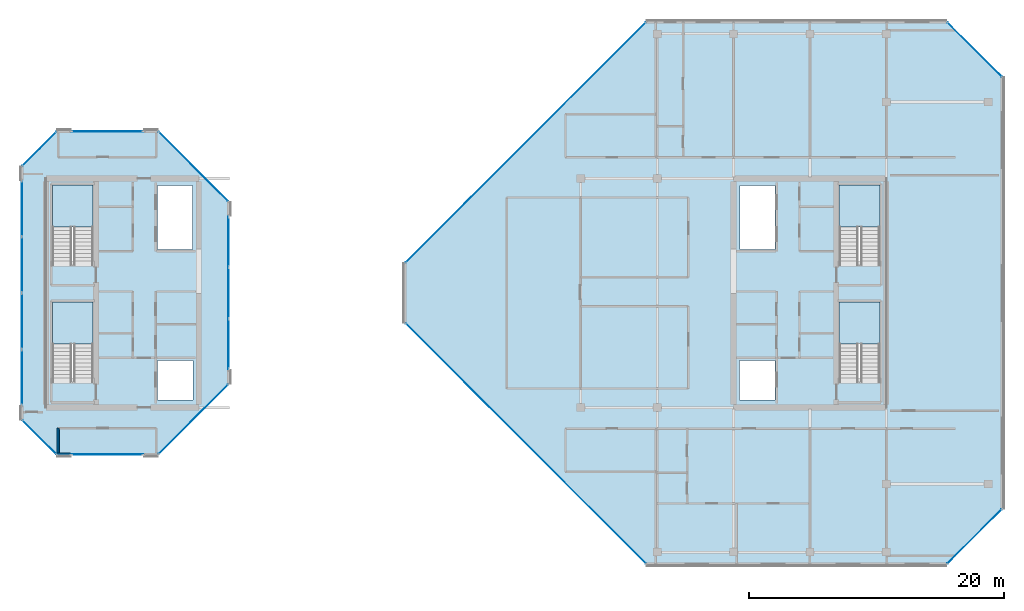
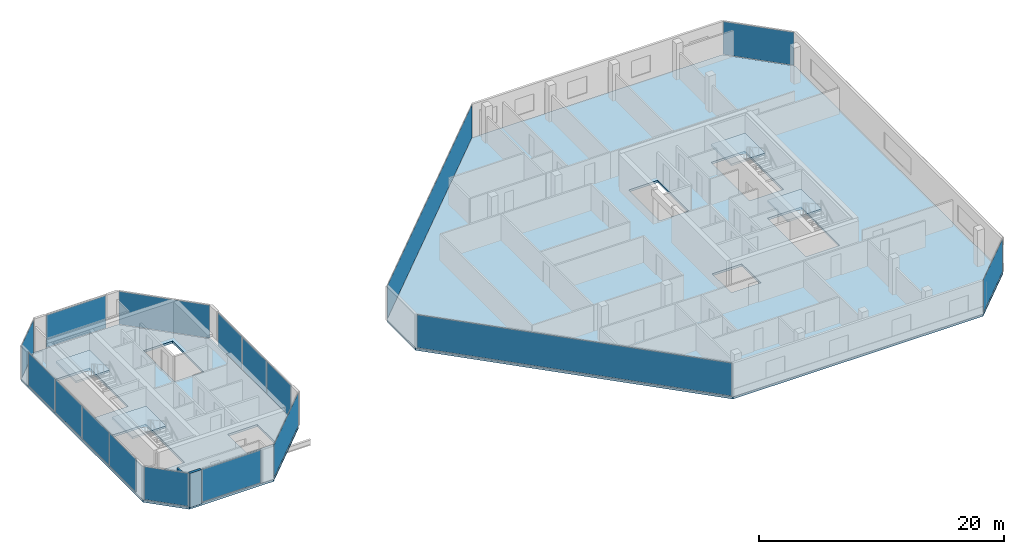
# One storey, part 20 of 28: 17 plates, 6 slabs, 2 walls, 16 elements without a shape of their own.
"""IFC4 building model written with IfcOpenShell, lengths in metres."""

from ifc_helpers import new_model, si_unit, direction, frame, frame_2d, origin, origin_2d, place, context, subcontext, project, spatial, polyline, rectangle, outline, extrude, material, layer, layer_set, type_object, element, aggregate, save


model = new_model("IFC4")

# Units and contexts
model_context = context("Model", 3, precision=1e-05, world=origin(), true_north=direction((0.0, 1.0)))
body_context = subcontext(model_context, "Body", "Model", "MODEL_VIEW")
ifc_project = project(units=[si_unit("LENGTHUNIT", "METRE"), si_unit("AREAUNIT", "SQUARE_METRE"), si_unit("VOLUMEUNIT", "CUBIC_METRE"), si_unit("PLANEANGLEUNIT", "RADIAN"), si_unit("MASSUNIT", "GRAM", prefix="KILO")], contexts=[model_context])

# Site, building, storey
site_placement = place(None, origin())
site = spatial("IfcSite", under=ifc_project, at=site_placement, CompositionType="ELEMENT")
building_placement = place(site_placement, origin())
building = spatial("IfcBuilding", under=site, at=building_placement, Name="Tanjung Sevakor Pilgrim Tower", CompositionType="ELEMENT")
storey_placement = place(building_placement, frame((0.0, 0.0, 249.81005859375)))
storey = spatial("IfcBuildingStorey", under=building, at=storey_placement, Name="L70", CompositionType="ELEMENT", Elevation=249.81005859375)

# Stair, slab
ifc_material_1 = material(Name="Concrete C40/50", Category="concrete")
stair_type = type_object("IfcStairType", Name="STAIR-ST-CR150", PredefinedType="HALF_TURN_STAIR", material=ifc_material_1)
stair_1_placement = place(storey_placement, origin())
stair_1 = element("IfcStair", 1, at=stair_1_placement, inside=storey, type_object=stair_type, Name="L70 West Core Exit Stair 1", PredefinedType="HALF_TURN_STAIR")
ifc_material_2 = material(Name="Concrete C40/50", Category="concrete")
ifc_layer_1 = layer(ifc_material_2, 0.199951171875)
ifc_layer_set_1 = layer_set([ifc_layer_1], Name="SL-LAND-200")
slab_type_1 = type_object("IfcSlabType", Name="SL-LAND-200", PredefinedType="LANDING", material=ifc_layer_set_1)
slab_1_placement = place(storey_placement, frame((0.0, 0.0, 1.614990234375)))
slab_1 = element("IfcSlab", 2, at=slab_1_placement, type_object=slab_type_1, Name="TS-W1 landing 1", PredefinedType="LANDING", context=body_context, shape_type="SweptSolid", body=[
    extrude(outline(polyline([(27.699951171875, 29.60009765625), (27.699951171875, 32.89990234375), (24.5, 32.89990234375), (24.5, 29.60009765625), (27.699951171875, 29.60009765625)])), origin(), (0.0, 0.0, 1.0), 0.199951171875),
])
aggregate(stair_1, [slab_1])

stair_2_placement = place(storey_placement, origin())
stair_2 = element("IfcStair", 3, at=stair_2_placement, inside=storey, type_object=stair_type, Name="L70 West Core Exit Stair 2", PredefinedType="HALF_TURN_STAIR")
slab_2_placement = place(storey_placement, frame((0.0, 0.0, 1.614990234375)))
slab_2 = element("IfcSlab", 4, at=slab_2_placement, type_object=slab_type_1, Name="TS-W2 landing 1", PredefinedType="LANDING", context=body_context, shape_type="SweptSolid", body=[
    extrude(outline(polyline([(27.699951171875, 38.800048828125), (27.699951171875, 42.10009765625), (24.5, 42.10009765625), (24.5, 38.800048828125), (27.699951171875, 38.800048828125)])), origin(), (0.0, 0.0, 1.0), 0.199951171875),
])
aggregate(stair_2, [slab_2])

stair_3_placement = place(storey_placement, origin())
stair_3 = element("IfcStair", 5, at=stair_3_placement, inside=storey, type_object=stair_type, Name="L70 East Core Exit Stair 1", PredefinedType="HALF_TURN_STAIR")
slab_3_placement = place(storey_placement, frame((0.0, 0.0, 1.614990234375)))
slab_3 = element("IfcSlab", 6, at=slab_3_placement, type_object=slab_type_1, Name="TS-E1 landing 1", PredefinedType="LANDING", context=body_context, shape_type="SweptSolid", body=[
    extrude(outline(polyline([(89.5, 29.60009765625), (89.5, 32.89990234375), (86.300048828125, 32.89990234375), (86.300048828125, 29.60009765625), (89.5, 29.60009765625)])), origin(), (0.0, 0.0, 1.0), 0.199951171875),
])
aggregate(stair_3, [slab_3])

stair_4_placement = place(storey_placement, origin())
stair_4 = element("IfcStair", 7, at=stair_4_placement, inside=storey, type_object=stair_type, Name="L70 East Core Exit Stair 2", PredefinedType="HALF_TURN_STAIR")
slab_4_placement = place(storey_placement, frame((0.0, 0.0, 1.614990234375)))
slab_4 = element("IfcSlab", 8, at=slab_4_placement, type_object=slab_type_1, Name="TS-E2 landing 1", PredefinedType="LANDING", context=body_context, shape_type="SweptSolid", body=[
    extrude(outline(polyline([(89.5, 38.800048828125), (89.5, 42.10009765625), (86.300048828125, 42.10009765625), (86.300048828125, 38.800048828125), (89.5, 38.800048828125)])), origin(), (0.0, 0.0, 1.0), 0.199951171875),
])
aggregate(stair_4, [slab_4])

# Slabs
ifc_material_3 = material(Name="Concrete C40/50", Category="concrete")
ifc_layer_2 = layer(ifc_material_3, 0.219970703125)
ifc_layer_set_2 = layer_set([ifc_layer_2], Name="SL-TWR-220")
slab_type_2 = type_object("IfcSlabType", Name="SL-TWR-220", PredefinedType="FLOOR", material=ifc_layer_set_2)
slab_5_placement = place(storey_placement, frame((0.0, 0.0, -0.219970703125)))
element("IfcSlab", 9, at=slab_5_placement, inside=storey, type_object=slab_type_2, Name="L70 Floor Slab WEST", PredefinedType="FLOOR", context=body_context, shape_type="SweptSolid", body=[
    extrude(outline(polyline([(24.846923828125, 20.8798828125), (32.802978515625, 20.8798828125), (38.3701171875, 26.447021484375), (38.3701171875, 40.753173828125), (32.802978515625, 46.320068359375), (24.846923828125, 46.320068359375), (22.080078125, 43.552978515625), (22.080078125, 23.64697265625), (24.846923828125, 20.8798828125)]), holes=[polyline([(27.699951171875, 26.60009765625), (27.699951171875, 32.89990234375), (24.5, 32.89990234375), (24.5, 26.60009765625), (27.699951171875, 26.60009765625)]), polyline([(27.699951171875, 35.800048828125), (27.699951171875, 42.10009765625), (24.5, 42.10009765625), (24.5, 35.800048828125), (27.699951171875, 35.800048828125)]), polyline([(32.75, 25.199951171875), (35.550048828125, 25.199951171875), (35.550048828125, 28.300048828125), (32.75, 28.300048828125), (32.75, 25.199951171875)]), polyline([(32.75, 37.0), (35.5, 37.0), (35.5, 42.050048828125), (32.75, 42.050048828125), (32.75, 37.0)])]), origin(), (0.0, 0.0, 1.0), 0.219970703125),
])
slab_6_placement = place(storey_placement, frame((0.0, 0.0, -0.219970703125)))
element("IfcSlab", 10, at=slab_6_placement, inside=storey, type_object=slab_type_2, Name="L70 Floor Slab EAST", PredefinedType="FLOOR", context=body_context, shape_type="SweptSolid", body=[
    extrude(outline(polyline([(71.14697265625, 12.280029296875), (94.753173828125, 12.280029296875), (99.1201171875, 16.64697265625), (99.1201171875, 50.552978515625), (94.753173828125, 54.919921875), (71.14697265625, 54.919921875), (52.179931640625, 35.953125), (52.179931640625, 31.246826171875), (71.14697265625, 12.280029296875)]), holes=[polyline([(89.5, 26.60009765625), (89.5, 32.89990234375), (86.300048828125, 32.89990234375), (86.300048828125, 26.60009765625), (89.5, 26.60009765625)]), polyline([(89.5, 35.800048828125), (89.5, 42.10009765625), (86.300048828125, 42.10009765625), (86.300048828125, 35.800048828125), (89.5, 35.800048828125)]), polyline([(78.449951171875, 25.199951171875), (81.25, 25.199951171875), (81.25, 28.300048828125), (78.449951171875, 28.300048828125), (78.449951171875, 25.199951171875)]), polyline([(78.5, 37.0), (81.25, 37.0), (81.25, 42.050048828125), (78.5, 42.050048828125), (78.5, 37.0)])]), origin(), (0.0, 0.0, 1.0), 0.219970703125),
])

# Curtain wall, plate
ifc_material_4 = material(Name="Aluminium 6063-T6 and Low-E Glass", Category="aluminium")
ifc_layer_3 = layer(ifc_material_4, 0.179931640625)
ifc_layer_set_3 = layer_set([ifc_layer_3], Name="CW-SYS-CHAM")
curtain_wall_type_1 = type_object("IfcCurtainWallType", Name="CW-SYS-CHAM", PredefinedType="NOTDEFINED", material=ifc_layer_set_3)
curtain_wall_1_placement = place(storey_placement, origin())
curtain_wall_1 = element("IfcCurtainWall", 11, at=curtain_wall_1_placement, inside=storey, type_object=curtain_wall_type_1, Name="L70 Curtain Wall CW-CHM-L70-WEST-1", PredefinedType="NOTDEFINED")
ifc_material_5 = material(Name="Laminated Low-E Double Glazing", Category="glass")
ifc_layer_4 = layer(ifc_material_5, 0.028076171875)
ifc_layer_set_4 = layer_set([ifc_layer_4], Name="TYPE-CWP-GLZ1")
plate_type_1 = type_object("IfcPlateType", Name="TYPE-CWP-GLZ1", PredefinedType="CURTAIN_PANEL", material=ifc_layer_set_4)
plate_1_placement = place(storey_placement, frame((35.572265625, 23.677734375, 0.06494140625), z_axis=(0.0, 0.0, 1.0), x_axis=(0.707106781187, 0.707106781187, 0.0)))
plate_1 = element("IfcPlate", 12, at=plate_1_placement, type_object=plate_type_1, Name="CW-CHM panel 1.1", PredefinedType="CURTAIN_PANEL", context=body_context, shape_type="SweptSolid", body=[
    extrude(rectangle(XDim=7.698486328125, YDim=0.028076171875, at=origin_2d()), origin(), (0.0, 0.0, 1.0), 3.280029296875),
])
aggregate(curtain_wall_1, [plate_1])

curtain_wall_2_placement = place(storey_placement, origin())
curtain_wall_2 = element("IfcCurtainWall", 13, at=curtain_wall_2_placement, inside=storey, type_object=curtain_wall_type_1, Name="L70 Curtain Wall CW-CHM-L70-WEST-3", PredefinedType="NOTDEFINED")
plate_2_placement = place(storey_placement, frame((35.572265625, 43.522216796875, 0.06494140625), z_axis=(0.0, 0.0, 1.0), x_axis=(-0.707106781187, 0.707106781187, 0.0)))
plate_2 = element("IfcPlate", 14, at=plate_2_placement, type_object=plate_type_1, Name="CW-CHM panel 1.1", PredefinedType="CURTAIN_PANEL", context=body_context, shape_type="SweptSolid", body=[
    extrude(rectangle(XDim=7.698486328125, YDim=0.028076171875, at=origin_2d()), origin(), (0.0, 0.0, 1.0), 3.280029296875),
])
aggregate(curtain_wall_2, [plate_2])

curtain_wall_3_placement = place(storey_placement, origin())
curtain_wall_3 = element("IfcCurtainWall", 15, at=curtain_wall_3_placement, inside=storey, type_object=curtain_wall_type_1, Name="L70 Curtain Wall CW-CHM-L70-WEST-5", PredefinedType="NOTDEFINED")
plate_3_placement = place(storey_placement, frame((23.477783203125, 44.922119140625, 0.06494140625), z_axis=(0.0, 0.0, 1.0), x_axis=(-0.707106781187, -0.707106781187, 0.0)))
plate_3 = element("IfcPlate", 16, at=plate_3_placement, type_object=plate_type_1, Name="CW-CHM panel 1.1", PredefinedType="CURTAIN_PANEL", context=body_context, shape_type="SweptSolid", body=[
    extrude(rectangle(XDim=3.73876953125, YDim=0.028076171875, at=origin_2d()), origin(), (0.0, 0.0, 1.0), 3.280029296875),
])
aggregate(curtain_wall_3, [plate_3])

curtain_wall_4_placement = place(storey_placement, origin())
curtain_wall_4 = element("IfcCurtainWall", 17, at=curtain_wall_4_placement, inside=storey, type_object=curtain_wall_type_1, Name="L70 Curtain Wall CW-CHM-L70-WEST-7", PredefinedType="NOTDEFINED")
plate_4_placement = place(storey_placement, frame((23.477783203125, 22.27783203125, 0.06494140625), z_axis=(0.0, 0.0, 1.0), x_axis=(0.707106781187, -0.707106781187, 0.0)))
plate_4 = element("IfcPlate", 18, at=plate_4_placement, type_object=plate_type_1, Name="CW-CHM panel 1.1", PredefinedType="CURTAIN_PANEL", context=body_context, shape_type="SweptSolid", body=[
    extrude(rectangle(XDim=3.73876953125, YDim=0.028076171875, at=origin_2d()), origin(), (0.0, 0.0, 1.0), 3.280029296875),
])
aggregate(curtain_wall_4, [plate_4])

curtain_wall_5_placement = place(storey_placement, origin())
curtain_wall_5 = element("IfcCurtainWall", 19, at=curtain_wall_5_placement, inside=storey, type_object=curtain_wall_type_1, Name="L70 Curtain Wall CW-CHM-L70-EAST-1", PredefinedType="NOTDEFINED")
plate_5_placement = place(storey_placement, frame((96.922119140625, 14.477783203125, 0.06494140625), z_axis=(0.0, 0.0, 1.0), x_axis=(0.707106781187, 0.707106781187, 0.0)))
plate_5 = element("IfcPlate", 20, at=plate_5_placement, type_object=plate_type_1, Name="CW-CHM panel 1.1", PredefinedType="CURTAIN_PANEL", context=body_context, shape_type="SweptSolid", body=[
    extrude(rectangle(XDim=6.00146484375, YDim=0.028076171875, at=origin_2d()), origin(), (0.0, 0.0, 1.0), 3.280029296875),
])
aggregate(curtain_wall_5, [plate_5])

curtain_wall_6_placement = place(storey_placement, origin())
curtain_wall_6 = element("IfcCurtainWall", 21, at=curtain_wall_6_placement, inside=storey, type_object=curtain_wall_type_1, Name="L70 Curtain Wall CW-CHM-L70-EAST-3", PredefinedType="NOTDEFINED")
plate_6_placement = place(storey_placement, frame((96.922119140625, 52.72216796875, 0.06494140625), z_axis=(0.0, 0.0, 1.0), x_axis=(-0.707106781187, 0.707106781187, 0.0)))
plate_6 = element("IfcPlate", 22, at=plate_6_placement, type_object=plate_type_1, Name="CW-CHM panel 1.1", PredefinedType="CURTAIN_PANEL", context=body_context, shape_type="SweptSolid", body=[
    extrude(rectangle(XDim=6.00146484375, YDim=0.028076171875, at=origin_2d()), origin(), (0.0, 0.0, 1.0), 3.280029296875),
])
aggregate(curtain_wall_6, [plate_6])

curtain_wall_7_placement = place(storey_placement, origin())
curtain_wall_7 = element("IfcCurtainWall", 23, at=curtain_wall_7_placement, inside=storey, type_object=curtain_wall_type_1, Name="L70 Curtain Wall CW-CHM-L70-EAST-5", PredefinedType="NOTDEFINED")
plate_7_placement = place(storey_placement, frame((61.677734375, 45.422119140625, 0.06494140625), z_axis=(0.0, 0.0, 1.0), x_axis=(-0.707106781187, -0.707106781187, 0.0)))
plate_7 = element("IfcPlate", 24, at=plate_7_placement, type_object=plate_type_1, Name="CW-CHM panel 1.1", PredefinedType="CURTAIN_PANEL", context=body_context, shape_type="SweptSolid", body=[
    extrude(rectangle(XDim=26.64892578125, YDim=0.028076171875, at=origin_2d()), origin(), (0.0, 0.0, 1.0), 3.280029296875),
])
aggregate(curtain_wall_7, [plate_7])

curtain_wall_8_placement = place(storey_placement, origin())
curtain_wall_8 = element("IfcCurtainWall", 25, at=curtain_wall_8_placement, inside=storey, type_object=curtain_wall_type_1, Name="L70 Curtain Wall CW-CHM-L70-EAST-7", PredefinedType="NOTDEFINED")
plate_8_placement = place(storey_placement, frame((61.677734375, 21.77783203125, 0.06494140625), z_axis=(0.0, 0.0, 1.0), x_axis=(0.707106781187, -0.707106781187, 0.0)))
plate_8 = element("IfcPlate", 26, at=plate_8_placement, type_object=plate_type_1, Name="CW-CHM panel 1.1", PredefinedType="CURTAIN_PANEL", context=body_context, shape_type="SweptSolid", body=[
    extrude(rectangle(XDim=26.64892578125, YDim=0.028076171875, at=origin_2d()), origin(), (0.0, 0.0, 1.0), 3.280029296875),
])
aggregate(curtain_wall_8, [plate_8])

ifc_material_6 = material(Name="Aluminium 6063-T6 and Low-E Glass", Category="aluminium")
ifc_layer_5 = layer(ifc_material_6, 0.199951171875)
ifc_layer_set_5 = layer_set([ifc_layer_5], Name="CW-SYS-CRNW")
curtain_wall_type_2 = type_object("IfcCurtainWallType", Name="CW-SYS-CRNW", PredefinedType="NOTDEFINED", material=ifc_layer_set_5)
curtain_wall_9_placement = place(storey_placement, origin())
curtain_wall_9 = element("IfcCurtainWall", 27, at=curtain_wall_9_placement, inside=storey, type_object=curtain_wall_type_2, Name="L70 Curtain Wall CW-CRN-L70-WEST-0-1", PredefinedType="NOTDEFINED")
ifc_material_7 = material(Name="Solar-Control Low-E Acoustic Glazing", Category="glass")
ifc_layer_6 = layer(ifc_material_7, 0.031982421875)
ifc_layer_set_6 = layer_set([ifc_layer_6], Name="TYPE-CWP-GLZ2")
plate_type_2 = type_object("IfcPlateType", Name="TYPE-CWP-GLZ2", PredefinedType="CURTAIN_PANEL", material=ifc_layer_set_6)
plate_9_placement = place(storey_placement, frame((28.824951171875, 20.909912109375, 0.079833984375), z_axis=(0.0, 0.0, 1.0), x_axis=(1.0, 0.0, 0.0)))
plate_9 = element("IfcPlate", 28, at=plate_9_placement, type_object=plate_type_2, Name="CW-CRW panel 1.1", PredefinedType="CURTAIN_PANEL", context=body_context, shape_type="SweptSolid", body=[
    extrude(rectangle(XDim=5.598876953125, YDim=0.031982421875, at=origin_2d()), origin(), (0.0, 0.0, 1.0), 3.25),
])
aggregate(curtain_wall_9, [plate_9])

# Curtain wall, plates
curtain_wall_10_placement = place(storey_placement, origin())
curtain_wall_10 = element("IfcCurtainWall", 29, at=curtain_wall_10_placement, inside=storey, type_object=curtain_wall_type_2, Name="L70 Curtain Wall CW-CRN-L70-WEST-2-1", PredefinedType="NOTDEFINED")
plate_10_placement = place(storey_placement, frame((38.340087890625, 29.583740234375, 0.079833984375), z_axis=(0.0, 0.0, 1.0), x_axis=(0.0, 1.0, 0.0)))
plate_10 = element("IfcPlate", 30, at=plate_10_placement, type_object=plate_type_2, Name="CW-CRW panel 1.1", PredefinedType="CURTAIN_PANEL", context=body_context, shape_type="SweptSolid", body=[
    extrude(rectangle(XDim=3.916259765625, YDim=0.031982421875, at=origin_2d()), origin(), (0.0, 0.0, 1.0), 3.25),
])
plate_11_placement = place(storey_placement, frame((38.340087890625, 33.60009765625, 0.079833984375), z_axis=(0.0, 0.0, 1.0), x_axis=(0.0, 1.0, 0.0)))
plate_11 = element("IfcPlate", 31, at=plate_11_placement, type_object=plate_type_2, Name="CW-CRW panel 2.1", PredefinedType="CURTAIN_PANEL", context=body_context, shape_type="SweptSolid", body=[
    extrude(rectangle(XDim=3.956298828125, YDim=0.031982421875, at=origin_2d()), origin(), (0.0, 0.0, 1.0), 3.25),
])
plate_12_placement = place(storey_placement, frame((38.340087890625, 37.6162109375, 0.079833984375), z_axis=(0.0, 0.0, 1.0), x_axis=(0.0, 1.0, 0.0)))
plate_12 = element("IfcPlate", 32, at=plate_12_placement, type_object=plate_type_2, Name="CW-CRW panel 3.1", PredefinedType="CURTAIN_PANEL", context=body_context, shape_type="SweptSolid", body=[
    extrude(rectangle(XDim=3.916259765625, YDim=0.031982421875, at=origin_2d()), origin(), (0.0, 0.0, 1.0), 3.25),
])
aggregate(curtain_wall_10, [plate_10, plate_11, plate_12])

# Curtain wall, plate
curtain_wall_11_placement = place(storey_placement, origin())
curtain_wall_11 = element("IfcCurtainWall", 33, at=curtain_wall_11_placement, inside=storey, type_object=curtain_wall_type_2, Name="L70 Curtain Wall CW-CRN-L70-WEST-4-1", PredefinedType="NOTDEFINED")
plate_13_placement = place(storey_placement, frame((28.824951171875, 46.2900390625, 0.079833984375), z_axis=(0.0, 0.0, 1.0), x_axis=(-1.0, 0.0, 0.0)))
plate_13 = element("IfcPlate", 34, at=plate_13_placement, type_object=plate_type_2, Name="CW-CRW panel 1.1", PredefinedType="CURTAIN_PANEL", context=body_context, shape_type="SweptSolid", body=[
    extrude(rectangle(XDim=5.598876953125, YDim=0.031982421875, at=origin_2d()), origin(), (0.0, 0.0, 1.0), 3.25),
])
aggregate(curtain_wall_11, [plate_13])

# Curtain wall, plates
curtain_wall_12_placement = place(storey_placement, origin())
curtain_wall_12 = element("IfcCurtainWall", 35, at=curtain_wall_12_placement, inside=storey, type_object=curtain_wall_type_2, Name="L70 Curtain Wall CW-CRN-L70-WEST-6-1", PredefinedType="NOTDEFINED")
plate_14_placement = place(storey_placement, frame((22.110107421875, 40.220703125, 0.079833984375), z_axis=(0.0, 0.0, 1.0), x_axis=(0.0, -1.0, 0.0)))
plate_14 = element("IfcPlate", 36, at=plate_14_placement, type_object=plate_type_2, Name="CW-CRW panel 1.1", PredefinedType="CURTAIN_PANEL", context=body_context, shape_type="SweptSolid", body=[
    extrude(rectangle(XDim=4.30712890625, YDim=0.031982421875, at=origin_2d()), origin(), (0.0, 0.0, 1.0), 3.25),
])
plate_15_placement = place(storey_placement, frame((22.110107421875, 35.813720703125, 0.079833984375), z_axis=(0.0, 0.0, 1.0), x_axis=(0.0, -1.0, 0.0)))
plate_15 = element("IfcPlate", 37, at=plate_15_placement, type_object=plate_type_2, Name="CW-CRW panel 2.1", PredefinedType="CURTAIN_PANEL", context=body_context, shape_type="SweptSolid", body=[
    extrude(rectangle(XDim=4.34716796875, YDim=0.031982421875, at=origin_2d()), origin(), (0.0, 0.0, 1.0), 3.25),
])
plate_16_placement = place(storey_placement, frame((22.110107421875, 31.386474609375, 0.079833984375), z_axis=(0.0, 0.0, 1.0), x_axis=(0.0, -1.0, 0.0)))
plate_16 = element("IfcPlate", 38, at=plate_16_placement, type_object=plate_type_2, Name="CW-CRW panel 3.1", PredefinedType="CURTAIN_PANEL", context=body_context, shape_type="SweptSolid", body=[
    extrude(rectangle(XDim=4.34716796875, YDim=0.031982421875, at=origin_2d()), origin(), (0.0, 0.0, 1.0), 3.25),
])
plate_17_placement = place(storey_placement, frame((22.110107421875, 26.979248046875, 0.079833984375), z_axis=(0.0, 0.0, 1.0), x_axis=(0.0, -1.0, 0.0)))
plate_17 = element("IfcPlate", 39, at=plate_17_placement, type_object=plate_type_2, Name="CW-CRW panel 4.1", PredefinedType="CURTAIN_PANEL", context=body_context, shape_type="SweptSolid", body=[
    extrude(rectangle(XDim=4.30712890625, YDim=0.031982421875, at=origin_2d()), origin(), (0.0, 0.0, 1.0), 3.25),
])
aggregate(curtain_wall_12, [plate_14, plate_15, plate_16, plate_17])

# Walls
ifc_material_8 = material(Name="Concrete C40/50", Category="concrete")
ifc_layer_7 = layer(ifc_material_8, 0.14990234375)
ifc_layer_set_7 = layer_set([ifc_layer_7], Name="WT-COMP-150")
wall_type_1 = type_object("IfcWallType", Name="WT-COMP-150", PredefinedType="SOLIDWALL", material=ifc_layer_set_7)
wall_1_placement = place(storey_placement, frame((24.949951171875, 20.919921875, 0.0), z_axis=(0.0, 0.0, 1.0), x_axis=(0.0, 1.0, 0.0)))
element("IfcWall", 40, at=wall_1_placement, inside=storey, type_object=wall_type_1, Name="L70 Partition IW-L70-028", PredefinedType="SOLIDWALL", context=body_context, shape_type="SweptSolid", body=[
    extrude(rectangle(XDim=2.06005859375, YDim=0.14990234375, at=frame_2d((1.030029296875, 0.0))), origin(), (0.0, 0.0, 1.0), 2.6298828125),
])
ifc_material_9 = material(Name="Precast concrete C45/55", Category="concrete")
ifc_layer_8 = layer(ifc_material_9, 0.219970703125)
ifc_layer_set_8 = layer_set([ifc_layer_8], Name="WT-EW-STN4")
wall_type_2 = type_object("IfcWallType", Name="WT-EW-STN4", PredefinedType="SOLIDWALL", material=ifc_layer_set_8)
wall_2_placement = place(storey_placement, frame((24.845703125, 20.909912109375, 0.0), z_axis=(0.0, 0.0, 1.0), x_axis=(1.0, 0.0, 0.0)))
element("IfcWall", 41, at=wall_2_placement, inside=storey, type_object=wall_type_2, Name="L70 WEST Crown Pier 0-1A", PredefinedType="SOLIDWALL", context=body_context, shape_type="SweptSolid", body=[
    extrude(rectangle(XDim=1.099853515625, YDim=0.219970703125, at=frame_2d((0.5498046875, 0.0))), origin(), (0.0, 0.0, 1.0), 3.409912109375),
])

save(model, "model.ifc")
